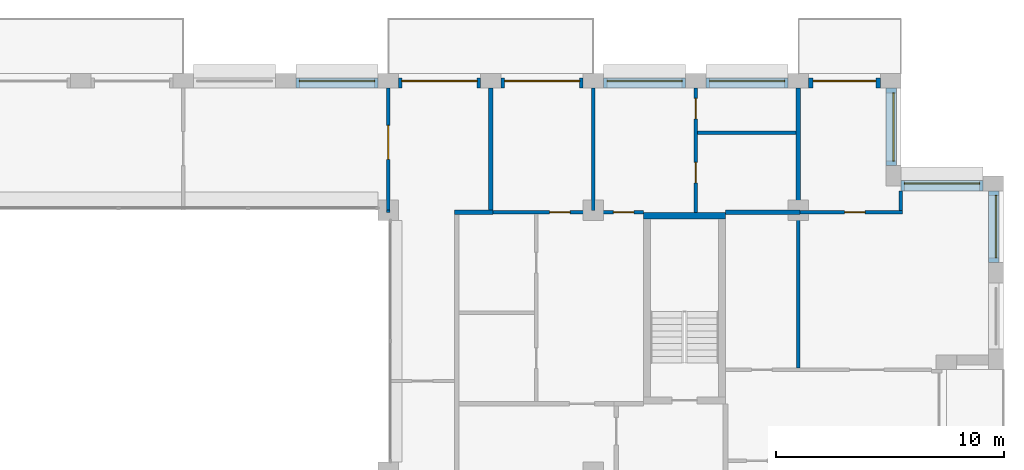
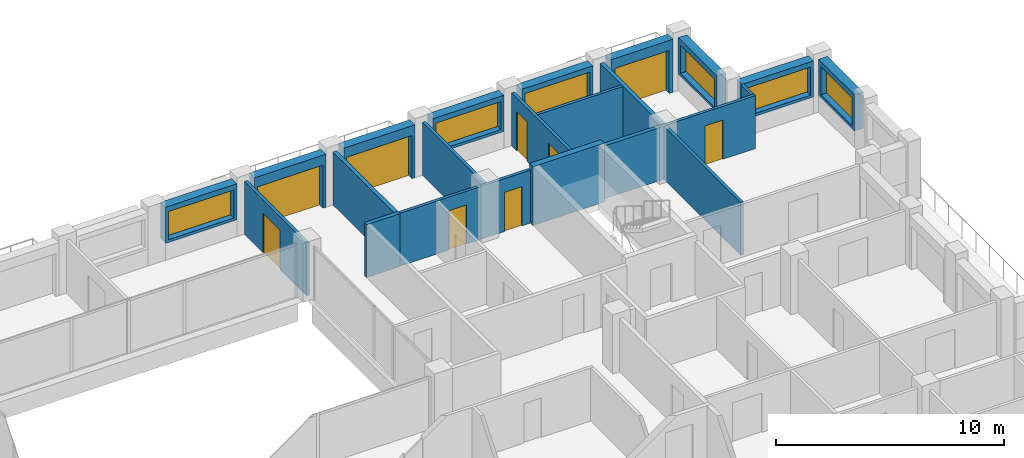
# One storey, part 14 of 16: 23 walls, 9 doors, 6 windows, 15 openings.
"""IFC4 building model written with IfcOpenShell, lengths in metres."""

from ifc_helpers import new_model, si_unit, direction, frame, frame_2d, origin, place, context, subcontext, project, spatial, rectangle, extrude, material, layer, layer_set, type_object, element, fill, save


model = new_model("IFC4")

# Units and contexts
model_context = context("Model", 3, precision=1e-05, world=origin(), true_north=direction((0.0, 1.0)))
body_context = subcontext(model_context, "Body", "Model", "MODEL_VIEW")
ifc_project = project(units=[si_unit("LENGTHUNIT", "METRE"), si_unit("AREAUNIT", "SQUARE_METRE"), si_unit("VOLUMEUNIT", "CUBIC_METRE"), si_unit("PLANEANGLEUNIT", "RADIAN"), si_unit("MASSUNIT", "GRAM", prefix="KILO")], contexts=[model_context])

# Site, building, storey
site_placement = place(None, origin())
site = spatial("IfcSite", under=ifc_project, at=site_placement, CompositionType="ELEMENT")
building_placement = place(site_placement, origin())
building = spatial("IfcBuilding", under=site, at=building_placement, Name="Brigalow Station Residences", CompositionType="ELEMENT")
storey_placement = place(building_placement, frame((0.0, 0.0, 198.0)))
storey = spatial("IfcBuildingStorey", under=building, at=storey_placement, Name="L56", CompositionType="ELEMENT", Elevation=198.0)

# Wall, opening, window
ifc_material_1 = material(Name="Clay brick masonry", Category="masonry")
ifc_layer_1 = layer(ifc_material_1, 0.449951171875)
ifc_layer_set_1 = layer_set([ifc_layer_1], Name="BRICK INFILL WALL 450")
wall_type_1 = type_object("IfcWallType", Name="BRICK INFILL WALL 450", PredefinedType="SOLIDWALL", material=ifc_layer_set_1)
wall_1_placement = place(storey_placement, frame((71.574951171875, 33.199951171875, 0.89990234375), z_axis=(0.0, 0.0, 1.0), x_axis=(0.0, 1.0, 0.0)))
wall_1 = element("IfcWall", 1, at=wall_1_placement, inside=storey, type_object=wall_type_1, Name="L56/ewall/W-L56-17", PredefinedType="SOLIDWALL", context=body_context, shape_type="SweptSolid", body=[
    extrude(rectangle(XDim=3.150146484375, YDim=0.449951171875, at=frame_2d((1.5751953125, 0.0))), origin(), (0.0, 0.0, 1.0), 1.93017578125),
])
opening_1_placement = place(wall_1_placement, frame((0.199951171875, 0.0, 0.14990234375)))
opening_1 = element("IfcOpeningElement", 2, at=opening_1_placement, cuts=wall_1, Name="Opening WT-3", PredefinedType="OPENING", context=body_context, shape_type="SweptSolid", body=[
    extrude(rectangle(XDim=2.75, YDim=1.5, at=frame_2d((1.375, 0.75))), frame((0.0, 0.23486328125, 0.0), z_axis=(0.0, -1.0, 0.0), x_axis=(1.0, 0.0, 0.0)), (0.0, 0.0, 1.0), 0.469970703125),
])
ifc_material_2 = material(Name="Anodised aluminium frame with double glazing", Category="aluminium")
window_type_1 = type_object("IfcWindowType", Name="WINDOW 2750x1500", PartitioningType="SINGLE_PANEL", PredefinedType="WINDOW", material=ifc_material_2)
window_1_placement = place(opening_1_placement, origin())
window_1 = element("IfcWindow", 3, at=window_1_placement, inside=storey, type_object=window_type_1, Name="L56/window/W-L56-17", OverallHeight=1.5, OverallWidth=2.75, PartitioningType="SINGLE_PANEL", PredefinedType="WINDOW", context=body_context, shape_type="SweptSolid", body=[
    extrude(rectangle(XDim=2.75, YDim=1.5, at=frame_2d((1.375, 0.75))), frame((0.0, -0.06494140625, 0.0), z_axis=(0.0, -1.0, 0.0), x_axis=(1.0, 0.0, 0.0)), (0.0, 0.0, 1.0), 0.06005859375),
])
fill(opening_1, window_1)

wall_2_placement = place(storey_placement, frame((71.10009765625, 36.574951171875, 0.89990234375), z_axis=(0.0, 0.0, 1.0), x_axis=(-1.0, 0.0, 0.0)))
wall_2 = element("IfcWall", 4, at=wall_2_placement, inside=storey, type_object=wall_type_1, Name="L56/ewall/W-L56-18", PredefinedType="SOLIDWALL", context=body_context, shape_type="SweptSolid", body=[
    extrude(rectangle(XDim=3.60009765625, YDim=0.449951171875, at=frame_2d((1.800048828125, 0.0))), origin(), (0.0, 0.0, 1.0), 1.93017578125),
])
opening_2_placement = place(wall_2_placement, frame((0.14990234375, 0.0, 0.14990234375)))
opening_2 = element("IfcOpeningElement", 5, at=opening_2_placement, cuts=wall_2, Name="Opening WT-10", PredefinedType="OPENING", context=body_context, shape_type="SweptSolid", body=[
    extrude(rectangle(XDim=3.300048828125, YDim=1.5, at=frame_2d((1.64990234375, 0.75))), frame((0.0, 0.23486328125, 0.0), z_axis=(0.0, -1.0, 0.0), x_axis=(1.0, 0.0, 0.0)), (0.0, 0.0, 1.0), 0.469970703125),
])
ifc_material_3 = material(Name="Anodised aluminium frame with double glazing", Category="aluminium")
window_type_2 = type_object("IfcWindowType", Name="WINDOW 3300x1500", PartitioningType="SINGLE_PANEL", PredefinedType="WINDOW", material=ifc_material_3)
window_2_placement = place(opening_2_placement, origin())
window_2 = element("IfcWindow", 6, at=window_2_placement, inside=storey, type_object=window_type_2, Name="L56/window/W-L56-18", OverallHeight=1.5, OverallWidth=3.300048828125, PartitioningType="SINGLE_PANEL", PredefinedType="WINDOW", context=body_context, shape_type="SweptSolid", body=[
    extrude(rectangle(XDim=3.300048828125, YDim=1.5, at=frame_2d((1.64990234375, 0.75))), frame((0.0, -0.06494140625, 0.0), z_axis=(0.0, -1.0, 0.0), x_axis=(1.0, 0.0, 0.0)), (0.0, 0.0, 1.0), 0.06005859375),
])
fill(opening_2, window_2)

wall_3_placement = place(storey_placement, frame((67.074951171875, 37.449951171875, 0.89990234375), z_axis=(0.0, 0.0, 1.0), x_axis=(0.0, 1.0, 0.0)))
wall_3 = element("IfcWall", 7, at=wall_3_placement, inside=storey, type_object=wall_type_1, Name="L56/ewall/W-L56-19", PredefinedType="SOLIDWALL", context=body_context, shape_type="SweptSolid", body=[
    extrude(rectangle(XDim=3.400146484375, YDim=0.449951171875, at=frame_2d((1.7001953125, 0.0))), origin(), (0.0, 0.0, 1.0), 1.93017578125),
])
opening_3_placement = place(wall_3_placement, frame((0.199951171875, 0.0, 0.14990234375)))
opening_3 = element("IfcOpeningElement", 8, at=opening_3_placement, cuts=wall_3, Name="Opening WT-2", PredefinedType="OPENING", context=body_context, shape_type="SweptSolid", body=[
    extrude(rectangle(XDim=3.0, YDim=1.5, at=frame_2d((1.5, 0.75))), frame((0.0, 0.23486328125, 0.0), z_axis=(0.0, -1.0, 0.0), x_axis=(1.0, 0.0, 0.0)), (0.0, 0.0, 1.0), 0.469970703125),
])
ifc_material_4 = material(Name="Anodised aluminium frame with double glazing", Category="aluminium")
window_type_3 = type_object("IfcWindowType", Name="WINDOW 3000x1500", PartitioningType="SINGLE_PANEL", PredefinedType="WINDOW", material=ifc_material_4)
window_3_placement = place(opening_3_placement, origin())
window_3 = element("IfcWindow", 9, at=window_3_placement, inside=storey, type_object=window_type_3, Name="L56/window/W-L56-19", OverallHeight=1.5, OverallWidth=3.0, PartitioningType="SINGLE_PANEL", PredefinedType="WINDOW", context=body_context, shape_type="SweptSolid", body=[
    extrude(rectangle(XDim=3.0, YDim=1.5, at=frame_2d((1.5, 0.75))), frame((0.0, -0.06494140625, 0.0), z_axis=(0.0, -1.0, 0.0), x_axis=(1.0, 0.0, 0.0)), (0.0, 0.0, 1.0), 0.06005859375),
])
fill(opening_3, window_3)

# Wall, opening, door
wall_4_placement = place(storey_placement, frame((66.60009765625, 41.074951171875, 0.0), z_axis=(0.0, 0.0, 1.0), x_axis=(-1.0, 0.0, 0.0)))
wall_4 = element("IfcWall", 10, at=wall_4_placement, inside=storey, type_object=wall_type_1, Name="L56/ewall/W-L56-20", PredefinedType="SOLIDWALL", context=body_context, shape_type="SweptSolid", body=[
    extrude(rectangle(XDim=3.150146484375, YDim=0.449951171875, at=frame_2d((1.5751953125, 0.0))), origin(), (0.0, 0.0, 1.0), 2.830078125),
])
opening_4_placement = place(wall_4_placement, frame((0.199951171875, 0.0, 0.0)))
opening_4 = element("IfcOpeningElement", 11, at=opening_4_placement, cuts=wall_4, Name="Opening D-B2750", PredefinedType="OPENING", context=body_context, shape_type="SweptSolid", body=[
    extrude(rectangle(XDim=2.75, YDim=2.300048828125, at=frame_2d((1.375, 1.14990234375))), frame((0.0, 0.23486328125, 0.0), z_axis=(0.0, -1.0, 0.0), x_axis=(1.0, 0.0, 0.0)), (0.0, 0.0, 1.0), 0.469970703125),
])
ifc_material_5 = material(Name="Anodised aluminium frame with double glazing", Category="aluminium")
door_type_1 = type_object("IfcDoorType", Name="BALCONY SLIDING DOOR 2750x2300", OperationType="SLIDING_TO_LEFT", PredefinedType="DOOR", material=ifc_material_5)
door_1_placement = place(opening_4_placement, origin())
door_1 = element("IfcDoor", 12, at=door_1_placement, inside=storey, type_object=door_type_1, Name="L56/balcony-door/W-L56-20", OperationType="SLIDING_TO_LEFT", OverallHeight=2.300048828125, OverallWidth=2.75, PredefinedType="DOOR", context=body_context, shape_type="SweptSolid", body=[
    extrude(rectangle(XDim=2.75, YDim=2.300048828125, at=frame_2d((1.375, 1.14990234375))), frame((0.0, -0.06982421875, 0.0), z_axis=(0.0, -1.0, 0.0), x_axis=(1.0, 0.0, 0.0)), (0.0, 0.0, 1.0), 0.050048828125),
])
fill(opening_4, door_1)

# Wall, opening, window
wall_5_placement = place(storey_placement, frame((62.550048828125, 41.074951171875, 0.89990234375), z_axis=(0.0, 0.0, 1.0), x_axis=(-1.0, 0.0, 0.0)))
wall_5 = element("IfcWall", 13, at=wall_5_placement, inside=storey, type_object=wall_type_1, Name="L56/ewall/W-L56-21", PredefinedType="SOLIDWALL", context=body_context, shape_type="SweptSolid", body=[
    extrude(rectangle(XDim=3.60009765625, YDim=0.449951171875, at=frame_2d((1.800048828125, 0.0))), origin(), (0.0, 0.0, 1.0), 1.93017578125),
])
opening_5_placement = place(wall_5_placement, frame((0.14990234375, 0.0, 0.14990234375)))
opening_5 = element("IfcOpeningElement", 14, at=opening_5_placement, cuts=wall_5, Name="Opening WT-10", PredefinedType="OPENING", context=body_context, shape_type="SweptSolid", body=[
    extrude(rectangle(XDim=3.300048828125, YDim=1.5, at=frame_2d((1.64990234375, 0.75))), frame((0.0, 0.23486328125, 0.0), z_axis=(0.0, -1.0, 0.0), x_axis=(1.0, 0.0, 0.0)), (0.0, 0.0, 1.0), 0.469970703125),
])
window_4_placement = place(opening_5_placement, origin())
window_4 = element("IfcWindow", 15, at=window_4_placement, inside=storey, type_object=window_type_2, Name="L56/window/W-L56-21", OverallHeight=1.5, OverallWidth=3.300048828125, PartitioningType="SINGLE_PANEL", PredefinedType="WINDOW", context=body_context, shape_type="SweptSolid", body=[
    extrude(rectangle(XDim=3.300048828125, YDim=1.5, at=frame_2d((1.64990234375, 0.75))), frame((0.0, -0.06494140625, 0.0), z_axis=(0.0, -1.0, 0.0), x_axis=(1.0, 0.0, 0.0)), (0.0, 0.0, 1.0), 0.06005859375),
])
fill(opening_5, window_4)

wall_6_placement = place(storey_placement, frame((58.050048828125, 41.074951171875, 0.89990234375), z_axis=(0.0, 0.0, 1.0), x_axis=(-1.0, 0.0, 0.0)))
wall_6 = element("IfcWall", 16, at=wall_6_placement, inside=storey, type_object=wall_type_1, Name="L56/ewall/W-L56-22", PredefinedType="SOLIDWALL", context=body_context, shape_type="SweptSolid", body=[
    extrude(rectangle(XDim=3.60009765625, YDim=0.449951171875, at=frame_2d((1.800048828125, 0.0))), origin(), (0.0, 0.0, 1.0), 1.93017578125),
])
opening_6_placement = place(wall_6_placement, frame((0.14990234375, 0.0, 0.14990234375)))
opening_6 = element("IfcOpeningElement", 17, at=opening_6_placement, cuts=wall_6, Name="Opening WT-10", PredefinedType="OPENING", context=body_context, shape_type="SweptSolid", body=[
    extrude(rectangle(XDim=3.300048828125, YDim=1.5, at=frame_2d((1.64990234375, 0.75))), frame((0.0, 0.23486328125, 0.0), z_axis=(0.0, -1.0, 0.0), x_axis=(1.0, 0.0, 0.0)), (0.0, 0.0, 1.0), 0.469970703125),
])
window_5_placement = place(opening_6_placement, origin())
window_5 = element("IfcWindow", 18, at=window_5_placement, inside=storey, type_object=window_type_2, Name="L56/window/W-L56-22", OverallHeight=1.5, OverallWidth=3.300048828125, PartitioningType="SINGLE_PANEL", PredefinedType="WINDOW", context=body_context, shape_type="SweptSolid", body=[
    extrude(rectangle(XDim=3.300048828125, YDim=1.5, at=frame_2d((1.64990234375, 0.75))), frame((0.0, -0.06494140625, 0.0), z_axis=(0.0, -1.0, 0.0), x_axis=(1.0, 0.0, 0.0)), (0.0, 0.0, 1.0), 0.06005859375),
])
fill(opening_6, window_5)

# Wall, opening, door
wall_7_placement = place(storey_placement, frame((53.550048828125, 41.074951171875, 0.0), z_axis=(0.0, 0.0, 1.0), x_axis=(-1.0, 0.0, 0.0)))
wall_7 = element("IfcWall", 19, at=wall_7_placement, inside=storey, type_object=wall_type_1, Name="L56/ewall/W-L56-23", PredefinedType="SOLIDWALL", context=body_context, shape_type="SweptSolid", body=[
    extrude(rectangle(XDim=3.60009765625, YDim=0.449951171875, at=frame_2d((1.800048828125, 0.0))), origin(), (0.0, 0.0, 1.0), 2.830078125),
])
opening_7_placement = place(wall_7_placement, frame((0.14990234375, 0.0, 0.0)))
opening_7 = element("IfcOpeningElement", 20, at=opening_7_placement, cuts=wall_7, Name="Opening D-B3300", PredefinedType="OPENING", context=body_context, shape_type="SweptSolid", body=[
    extrude(rectangle(XDim=3.300048828125, YDim=2.300048828125, at=frame_2d((1.64990234375, 1.14990234375))), frame((0.0, 0.23486328125, 0.0), z_axis=(0.0, -1.0, 0.0), x_axis=(1.0, 0.0, 0.0)), (0.0, 0.0, 1.0), 0.469970703125),
])
ifc_material_6 = material(Name="Anodised aluminium frame with double glazing", Category="aluminium")
door_type_2 = type_object("IfcDoorType", Name="BALCONY SLIDING DOOR 3300x2300", OperationType="SLIDING_TO_LEFT", PredefinedType="DOOR", material=ifc_material_6)
door_2_placement = place(opening_7_placement, origin())
door_2 = element("IfcDoor", 21, at=door_2_placement, inside=storey, type_object=door_type_2, Name="L56/balcony-door/W-L56-23", OperationType="SLIDING_TO_LEFT", OverallHeight=2.300048828125, OverallWidth=3.300048828125, PredefinedType="DOOR", context=body_context, shape_type="SweptSolid", body=[
    extrude(rectangle(XDim=3.300048828125, YDim=2.300048828125, at=frame_2d((1.64990234375, 1.14990234375))), frame((0.0, -0.06982421875, 0.0), z_axis=(0.0, -1.0, 0.0), x_axis=(1.0, 0.0, 0.0)), (0.0, 0.0, 1.0), 0.050048828125),
])
fill(opening_7, door_2)

wall_8_placement = place(storey_placement, frame((49.050048828125, 41.074951171875, 0.0), z_axis=(0.0, 0.0, 1.0), x_axis=(-1.0, 0.0, 0.0)))
wall_8 = element("IfcWall", 22, at=wall_8_placement, inside=storey, type_object=wall_type_1, Name="L56/ewall/W-L56-24", PredefinedType="SOLIDWALL", context=body_context, shape_type="SweptSolid", body=[
    extrude(rectangle(XDim=3.60009765625, YDim=0.449951171875, at=frame_2d((1.800048828125, 0.0))), origin(), (0.0, 0.0, 1.0), 2.830078125),
])
opening_8_placement = place(wall_8_placement, frame((0.14990234375, 0.0, 0.0)))
opening_8 = element("IfcOpeningElement", 23, at=opening_8_placement, cuts=wall_8, Name="Opening D-B3300", PredefinedType="OPENING", context=body_context, shape_type="SweptSolid", body=[
    extrude(rectangle(XDim=3.300048828125, YDim=2.300048828125, at=frame_2d((1.64990234375, 1.14990234375))), frame((0.0, 0.23486328125, 0.0), z_axis=(0.0, -1.0, 0.0), x_axis=(1.0, 0.0, 0.0)), (0.0, 0.0, 1.0), 0.469970703125),
])
door_3_placement = place(opening_8_placement, origin())
door_3 = element("IfcDoor", 24, at=door_3_placement, inside=storey, type_object=door_type_2, Name="L56/balcony-door/W-L56-24", OperationType="SLIDING_TO_LEFT", OverallHeight=2.300048828125, OverallWidth=3.300048828125, PredefinedType="DOOR", context=body_context, shape_type="SweptSolid", body=[
    extrude(rectangle(XDim=3.300048828125, YDim=2.300048828125, at=frame_2d((1.64990234375, 1.14990234375))), frame((0.0, -0.06982421875, 0.0), z_axis=(0.0, -1.0, 0.0), x_axis=(1.0, 0.0, 0.0)), (0.0, 0.0, 1.0), 0.050048828125),
])
fill(opening_8, door_3)

# Wall, opening, window
wall_9_placement = place(storey_placement, frame((44.550048828125, 41.074951171875, 0.89990234375), z_axis=(0.0, 0.0, 1.0), x_axis=(-1.0, 0.0, 0.0)))
wall_9 = element("IfcWall", 25, at=wall_9_placement, inside=storey, type_object=wall_type_1, Name="L56/ewall/W-L56-25", PredefinedType="SOLIDWALL", context=body_context, shape_type="SweptSolid", body=[
    extrude(rectangle(XDim=3.60009765625, YDim=0.449951171875, at=frame_2d((1.800048828125, 0.0))), origin(), (0.0, 0.0, 1.0), 1.93017578125),
])
opening_9_placement = place(wall_9_placement, frame((0.14990234375, 0.0, 0.14990234375)))
opening_9 = element("IfcOpeningElement", 26, at=opening_9_placement, cuts=wall_9, Name="Opening WT-10", PredefinedType="OPENING", context=body_context, shape_type="SweptSolid", body=[
    extrude(rectangle(XDim=3.300048828125, YDim=1.5, at=frame_2d((1.64990234375, 0.75))), frame((0.0, 0.23486328125, 0.0), z_axis=(0.0, -1.0, 0.0), x_axis=(1.0, 0.0, 0.0)), (0.0, 0.0, 1.0), 0.469970703125),
])
window_6_placement = place(opening_9_placement, origin())
window_6 = element("IfcWindow", 27, at=window_6_placement, inside=storey, type_object=window_type_2, Name="L56/window/W-L56-25", OverallHeight=1.5, OverallWidth=3.300048828125, PartitioningType="SINGLE_PANEL", PredefinedType="WINDOW", context=body_context, shape_type="SweptSolid", body=[
    extrude(rectangle(XDim=3.300048828125, YDim=1.5, at=frame_2d((1.64990234375, 0.75))), frame((0.0, -0.06494140625, 0.0), z_axis=(0.0, -1.0, 0.0), x_axis=(1.0, 0.0, 0.0)), (0.0, 0.0, 1.0), 0.06005859375),
])
fill(opening_9, window_6)

# Wall
ifc_material_7 = material(Name="Concrete C50", Category="concrete")
ifc_layer_2 = layer(ifc_material_7, 0.300048828125)
ifc_layer_set_2 = layer_set([ifc_layer_2], Name="CORE SHEAR WALL 300 C50")
wall_type_2 = type_object("IfcWallType", Name="CORE SHEAR WALL 300 C50", PredefinedType="SHEAR", material=ifc_layer_set_2)
wall_10_placement = place(storey_placement, frame((56.199951171875, 35.25, 0.0), z_axis=(0.0, 0.0, 1.0), x_axis=(1.0, 0.0, 0.0)))
element("IfcWall", 28, at=wall_10_placement, inside=storey, type_object=wall_type_2, Name="CORE WALL ST-S3-N L56", PredefinedType="SHEAR", context=body_context, shape_type="SweptSolid", body=[
    extrude(rectangle(XDim=3.60009765625, YDim=0.300048828125, at=frame_2d((1.800048828125, 0.0))), origin(), (0.0, 0.0, 1.0), 3.14990234375),
])

# Wall, openings, doors
ifc_material_8 = material(Name="Plasterboard on steel stud partition", Category="steel")
ifc_layer_3 = layer(ifc_material_8, 0.14990234375)
ifc_layer_set_3 = layer_set([ifc_layer_3], Name="FLAT PARTITION 150")
wall_type_3 = type_object("IfcWallType", Name="FLAT PARTITION 150", PredefinedType="PARTITIONING", material=ifc_layer_set_3)
wall_11_placement = place(storey_placement, frame((49.39990234375, 35.39990234375, 0.0), z_axis=(0.0, 0.0, 1.0), x_axis=(1.0, 0.0, 0.0)))
wall_11 = element("IfcWall", 29, at=wall_11_placement, inside=storey, type_object=wall_type_3, Name="PW-4A21", PredefinedType="PARTITIONING", context=body_context, shape_type="SweptSolid", body=[
    extrude(rectangle(XDim=6.800048828125, YDim=0.14990234375, at=frame_2d((3.39990234375, 0.0))), origin(), (0.0, 0.0, 1.0), 2.830078125),
])
opening_10_placement = place(wall_11_placement, frame((2.675048828125, 0.0, 0.0)))
opening_10 = element("IfcOpeningElement", 30, at=opening_10_placement, cuts=wall_11, Name="Opening D-4A27", PredefinedType="OPENING", context=body_context, shape_type="SweptSolid", body=[
    extrude(rectangle(XDim=0.89990234375, YDim=2.10009765625, at=frame_2d((0.449951171875, 1.050048828125))), frame((0.0, 0.0849609375, 0.0), z_axis=(0.0, -1.0, 0.0), x_axis=(1.0, 0.0, 0.0)), (0.0, 0.0, 1.0), 0.169921875),
])
opening_11_placement = place(wall_11_placement, frame((5.47509765625, 0.0, 0.0)))
opening_11 = element("IfcOpeningElement", 31, at=opening_11_placement, cuts=wall_11, Name="Opening D-4A28", PredefinedType="OPENING", context=body_context, shape_type="SweptSolid", body=[
    extrude(rectangle(XDim=0.89990234375, YDim=2.10009765625, at=frame_2d((0.449951171875, 1.050048828125))), frame((0.0, 0.0849609375, 0.0), z_axis=(0.0, -1.0, 0.0), x_axis=(1.0, 0.0, 0.0)), (0.0, 0.0, 1.0), 0.169921875),
])
ifc_material_9 = material(Name="Solid-core timber door leaf", Category="wood")
door_type_3 = type_object("IfcDoorType", Name="INTERNAL DOOR 900 x 2100", OperationType="SINGLE_SWING_LEFT", PredefinedType="DOOR", material=ifc_material_9)
door_4_placement = place(opening_10_placement, origin())
door_4 = element("IfcDoor", 32, at=door_4_placement, inside=storey, type_object=door_type_3, Name="D-4A27", OperationType="SINGLE_SWING_RIGHT", OverallHeight=2.10009765625, OverallWidth=0.89990234375, PredefinedType="DOOR", context=body_context, shape_type="SweptSolid", body=[
    extrude(rectangle(XDim=0.89990234375, YDim=2.10009765625, at=frame_2d((0.449951171875, 1.050048828125))), frame((0.0, 0.02490234375, 0.0), z_axis=(0.0, -1.0, 0.0), x_axis=(1.0, 0.0, 0.0)), (0.0, 0.0, 1.0), 0.050048828125),
])
fill(opening_10, door_4)
door_5_placement = place(opening_11_placement, origin())
door_5 = element("IfcDoor", 33, at=door_5_placement, inside=storey, type_object=door_type_3, Name="D-4A28", OperationType="SINGLE_SWING_LEFT", OverallHeight=2.10009765625, OverallWidth=0.89990234375, PredefinedType="DOOR", context=body_context, shape_type="SweptSolid", body=[
    extrude(rectangle(XDim=0.89990234375, YDim=2.10009765625, at=frame_2d((0.449951171875, 1.050048828125))), frame((0.0, 0.02490234375, 0.0), z_axis=(0.0, -1.0, 0.0), x_axis=(1.0, 0.0, 0.0)), (0.0, 0.0, 1.0), 0.050048828125),
])
fill(opening_11, door_5)

# Wall, opening, door
wall_12_placement = place(storey_placement, frame((62.925048828125, 35.39990234375, 0.0), z_axis=(0.0, 0.0, 1.0), x_axis=(1.0, 0.0, 0.0)))
wall_12 = element("IfcWall", 34, at=wall_12_placement, inside=storey, type_object=wall_type_3, Name="PW-4A22", PredefinedType="PARTITIONING", context=body_context, shape_type="SweptSolid", body=[
    extrude(rectangle(XDim=4.64990234375, YDim=0.14990234375, at=frame_2d((2.324951171875, 0.0))), origin(), (0.0, 0.0, 1.0), 2.830078125),
])
opening_12_placement = place(wall_12_placement, frame((2.10009765625, 0.0, 0.0)))
opening_12 = element("IfcOpeningElement", 35, at=opening_12_placement, cuts=wall_12, Name="Opening D-4A46", PredefinedType="OPENING", context=body_context, shape_type="SweptSolid", body=[
    extrude(rectangle(XDim=0.89990234375, YDim=2.10009765625, at=frame_2d((0.449951171875, 1.050048828125))), frame((0.0, 0.0849609375, 0.0), z_axis=(0.0, -1.0, 0.0), x_axis=(1.0, 0.0, 0.0)), (0.0, 0.0, 1.0), 0.169921875),
])
door_6_placement = place(opening_12_placement, origin())
door_6 = element("IfcDoor", 36, at=door_6_placement, inside=storey, type_object=door_type_3, Name="D-4A46", OperationType="SINGLE_SWING_RIGHT", OverallHeight=2.10009765625, OverallWidth=0.89990234375, PredefinedType="DOOR", context=body_context, shape_type="SweptSolid", body=[
    extrude(rectangle(XDim=0.89990234375, YDim=2.10009765625, at=frame_2d((0.449951171875, 1.050048828125))), frame((0.0, 0.02490234375, 0.0), z_axis=(0.0, -1.0, 0.0), x_axis=(1.0, 0.0, 0.0)), (0.0, 0.0, 1.0), 0.050048828125),
])
fill(opening_12, door_6)

# Walls
wall_13_placement = place(storey_placement, frame((58.574951171875, 38.89990234375, 0.0), z_axis=(0.0, 0.0, 1.0), x_axis=(1.0, 0.0, 0.0)))
element("IfcWall", 37, at=wall_13_placement, inside=storey, type_object=wall_type_3, Name="PW-4A28", PredefinedType="PARTITIONING", context=body_context, shape_type="SweptSolid", body=[
    extrude(rectangle(XDim=4.324951171875, YDim=0.14990234375, at=frame_2d((2.16259765625, 0.0))), origin(), (0.0, 0.0, 1.0), 2.830078125),
])
wall_14_placement = place(storey_placement, frame((54.0, 35.47509765625, 0.0), z_axis=(0.0, 0.0, 1.0), x_axis=(0.0, 1.0, 0.0)))
element("IfcWall", 38, at=wall_14_placement, inside=storey, type_object=wall_type_3, Name="PW-4A35", PredefinedType="PARTITIONING", context=body_context, shape_type="SweptSolid", body=[
    extrude(rectangle(XDim=5.375, YDim=0.14990234375, at=frame_2d((2.6875, 0.0))), origin(), (0.0, 0.0, 1.0), 2.830078125),
])
wall_15_placement = place(storey_placement, frame((45.0, 35.39990234375, 0.0), z_axis=(0.0, 0.0, 1.0), x_axis=(0.0, 1.0, 0.0)))
element("IfcWall", 39, at=wall_15_placement, inside=storey, type_object=wall_type_3, Name="PW-4A49", PredefinedType="PARTITIONING", context=body_context, shape_type="SweptSolid", body=[
    extrude(rectangle(XDim=0.10009765625, YDim=0.14990234375, at=frame_2d((0.050048828125, 0.0))), origin(), (0.0, 0.0, 1.0), 2.830078125),
])

# Wall, opening, door
wall_16_placement = place(storey_placement, frame((45.0, 35.5, 0.0), z_axis=(0.0, 0.0, 1.0), x_axis=(0.0, 1.0, 0.0)))
wall_16 = element("IfcWall", 40, at=wall_16_placement, inside=storey, type_object=wall_type_3, Name="PW-4A50", PredefinedType="PARTITIONING", context=body_context, shape_type="SweptSolid", body=[
    extrude(rectangle(XDim=5.35009765625, YDim=0.14990234375, at=frame_2d((2.675048828125, 0.0))), origin(), (0.0, 0.0, 1.0), 2.830078125),
])
opening_13_placement = place(wall_16_placement, frame((2.22509765625, 0.0, 0.0)))
opening_13 = element("IfcOpeningElement", 41, at=opening_13_placement, cuts=wall_16, Name="Opening D-4A22", PredefinedType="OPENING", context=body_context, shape_type="SweptSolid", body=[
    extrude(rectangle(XDim=1.5, YDim=2.10009765625, at=frame_2d((0.75, 1.050048828125))), frame((0.0, 0.0849609375, 0.0), z_axis=(0.0, -1.0, 0.0), x_axis=(1.0, 0.0, 0.0)), (0.0, 0.0, 1.0), 0.169921875),
])
ifc_material_10 = material(Name="Solid-core timber door leaf", Category="wood")
door_type_4 = type_object("IfcDoorType", Name="INTERNAL DOUBLE DOOR 1500 x 2100", OperationType="DOUBLE_DOOR_SINGLE_SWING", PredefinedType="DOOR", material=ifc_material_10)
door_7_placement = place(opening_13_placement, frame((1.5, 0.0, 0.0), z_axis=(0.0, 0.0, 1.0), x_axis=(-1.0, 0.0, 0.0)))
door_7 = element("IfcDoor", 42, at=door_7_placement, inside=storey, type_object=door_type_4, Name="D-4A22", OperationType="DOUBLE_DOOR_SINGLE_SWING", OverallHeight=2.10009765625, OverallWidth=1.5, PredefinedType="DOOR", context=body_context, shape_type="SweptSolid", body=[
    extrude(rectangle(XDim=1.5, YDim=2.10009765625, at=frame_2d((0.75, 1.050048828125))), frame((0.0, 0.02490234375, 0.0), z_axis=(0.0, -1.0, 0.0), x_axis=(1.0, 0.0, 0.0)), (0.0, 0.0, 1.0), 0.050048828125),
])
fill(opening_13, door_7)

# Wall, openings, doors
wall_17_placement = place(storey_placement, frame((58.5, 35.39990234375, 0.0), z_axis=(0.0, 0.0, 1.0), x_axis=(0.0, 1.0, 0.0)))
wall_17 = element("IfcWall", 43, at=wall_17_placement, inside=storey, type_object=wall_type_3, Name="PW-4A56", PredefinedType="PARTITIONING", context=body_context, shape_type="SweptSolid", body=[
    extrude(rectangle(XDim=5.4501953125, YDim=0.14990234375, at=frame_2d((2.72509765625, 0.0))), origin(), (0.0, 0.0, 1.0), 2.830078125),
])
opening_14_placement = place(wall_17_placement, frame((1.300048828125, 0.0, 0.0)))
opening_14 = element("IfcOpeningElement", 44, at=opening_14_placement, cuts=wall_17, Name="Opening D-4A29", PredefinedType="OPENING", context=body_context, shape_type="SweptSolid", body=[
    extrude(rectangle(XDim=0.89990234375, YDim=2.10009765625, at=frame_2d((0.449951171875, 1.050048828125))), frame((0.0, 0.0849609375, 0.0), z_axis=(0.0, -1.0, 0.0), x_axis=(1.0, 0.0, 0.0)), (0.0, 0.0, 1.0), 0.169921875),
])
opening_15_placement = place(wall_17_placement, frame((4.10009765625, 0.0, 0.0)))
opening_15 = element("IfcOpeningElement", 45, at=opening_15_placement, cuts=wall_17, Name="Opening D-4A30", PredefinedType="OPENING", context=body_context, shape_type="SweptSolid", body=[
    extrude(rectangle(XDim=0.89990234375, YDim=2.10009765625, at=frame_2d((0.449951171875, 1.050048828125))), frame((0.0, 0.0849609375, 0.0), z_axis=(0.0, -1.0, 0.0), x_axis=(1.0, 0.0, 0.0)), (0.0, 0.0, 1.0), 0.169921875),
])
door_8_placement = place(opening_14_placement, frame((0.89990234375, 0.0, 0.0), z_axis=(0.0, 0.0, 1.0), x_axis=(-1.0, 0.0, 0.0)))
door_8 = element("IfcDoor", 46, at=door_8_placement, inside=storey, type_object=door_type_3, Name="D-4A29", OperationType="SINGLE_SWING_LEFT", OverallHeight=2.10009765625, OverallWidth=0.89990234375, PredefinedType="DOOR", context=body_context, shape_type="SweptSolid", body=[
    extrude(rectangle(XDim=0.89990234375, YDim=2.10009765625, at=frame_2d((0.449951171875, 1.050048828125))), frame((0.0, 0.02490234375, 0.0), z_axis=(0.0, -1.0, 0.0), x_axis=(1.0, 0.0, 0.0)), (0.0, 0.0, 1.0), 0.050048828125),
])
fill(opening_14, door_8)
door_9_placement = place(opening_15_placement, frame((0.89990234375, 0.0, 0.0), z_axis=(0.0, 0.0, 1.0), x_axis=(-1.0, 0.0, 0.0)))
door_9 = element("IfcDoor", 47, at=door_9_placement, inside=storey, type_object=door_type_3, Name="D-4A30", OperationType="SINGLE_SWING_LEFT", OverallHeight=2.10009765625, OverallWidth=0.89990234375, PredefinedType="DOOR", context=body_context, shape_type="SweptSolid", body=[
    extrude(rectangle(XDim=0.89990234375, YDim=2.10009765625, at=frame_2d((0.449951171875, 1.050048828125))), frame((0.0, 0.02490234375, 0.0), z_axis=(0.0, -1.0, 0.0), x_axis=(1.0, 0.0, 0.0)), (0.0, 0.0, 1.0), 0.050048828125),
])
fill(opening_15, door_9)

# Walls
wall_18_placement = place(storey_placement, frame((63.0, 28.574951171875, 0.0), z_axis=(0.0, 0.0, 1.0), x_axis=(0.0, 1.0, 0.0)))
element("IfcWall", 48, at=wall_18_placement, inside=storey, type_object=wall_type_3, Name="PW-4A60", PredefinedType="PARTITIONING", context=body_context, shape_type="SweptSolid", body=[
    extrude(rectangle(XDim=6.75, YDim=0.14990234375, at=frame_2d((3.375, 0.0))), origin(), (0.0, 0.0, 1.0), 2.830078125),
])
wall_19_placement = place(storey_placement, frame((67.5, 35.47509765625, 0.0), z_axis=(0.0, 0.0, 1.0), x_axis=(0.0, 1.0, 0.0)))
element("IfcWall", 49, at=wall_19_placement, inside=storey, type_object=wall_type_3, Name="PW-4A63", PredefinedType="PARTITIONING", context=body_context, shape_type="SweptSolid", body=[
    extrude(rectangle(XDim=0.875, YDim=0.14990234375, at=frame_2d((0.4375, 0.0))), origin(), (0.0, 0.0, 1.0), 2.830078125),
])
ifc_material_11 = material(Name="Plasterboard on steel stud partition", Category="steel")
ifc_layer_4 = layer(ifc_material_11, 0.199951171875)
ifc_layer_set_4 = layer_set([ifc_layer_4], Name="PARTY AND CORRIDOR WALL 200")
wall_type_4 = type_object("IfcWallType", Name="PARTY AND CORRIDOR WALL 200", PredefinedType="PARTITIONING", material=ifc_layer_set_4)
wall_20_placement = place(storey_placement, frame((47.89990234375, 35.39990234375, 0.0), z_axis=(0.0, 0.0, 1.0), x_axis=(1.0, 0.0, 0.0)))
element("IfcWall", 50, at=wall_20_placement, inside=storey, type_object=wall_type_4, Name="PW-4A23", PredefinedType="PARTITIONING", context=body_context, shape_type="SweptSolid", body=[
    extrude(rectangle(XDim=1.7001953125, YDim=0.199951171875, at=frame_2d((0.85009765625, 0.0))), origin(), (0.0, 0.0, 1.0), 2.830078125),
])
wall_21_placement = place(storey_placement, frame((59.800048828125, 35.39990234375, 0.0), z_axis=(0.0, 0.0, 1.0), x_axis=(1.0, 0.0, 0.0)))
element("IfcWall", 51, at=wall_21_placement, inside=storey, type_object=wall_type_4, Name="PW-4A24", PredefinedType="PARTITIONING", context=body_context, shape_type="SweptSolid", body=[
    extrude(rectangle(XDim=3.27490234375, YDim=0.199951171875, at=frame_2d((1.637451171875, 0.0))), origin(), (0.0, 0.0, 1.0), 2.830078125),
])
for number, where, z_axis, x_axis, name in (
    (52, (49.5, 35.47509765625, 0.0), (0.0, 0.0, 1.0), (0.0, 1.0, 0.0), "PW-4A51"),
    (53, (63.0, 35.47509765625, 0.0), (0.0, 0.0, 1.0), (0.0, 1.0, 0.0), "PW-4A61"),
):
    element("IfcWall", number, at=place(storey_placement, frame(where, z_axis=z_axis, x_axis=x_axis)), inside=storey, type_object=wall_type_4, Name=name, PredefinedType="PARTITIONING", context=body_context, shape_type="SweptSolid", body=[
        extrude(rectangle(XDim=5.375, YDim=0.199951171875, at=frame_2d((2.6875, 0.0))), origin(), (0.0, 0.0, 1.0), 2.830078125),
    ])

save(model, "model.ifc")
